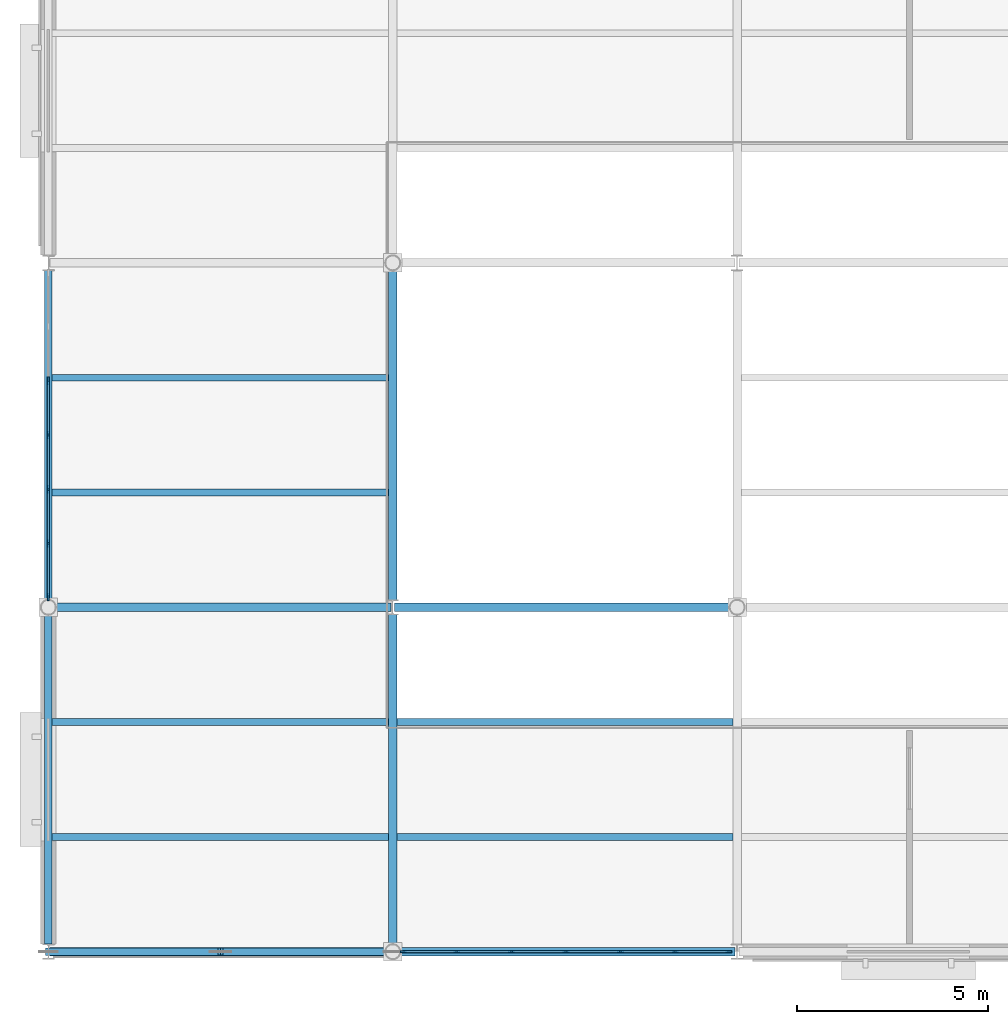
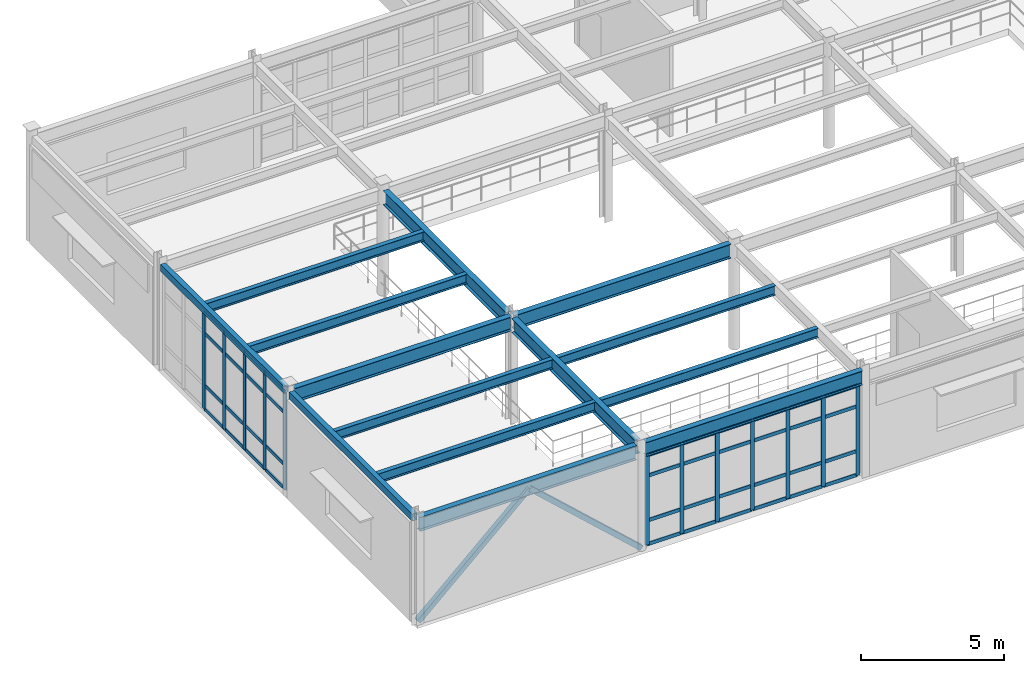
# One storey, part 23 of 86: 54 members, 14 beams, 2 elements without a shape of their own.
"""IFC4 building model written with IfcOpenShell, lengths in metres."""

from ifc_helpers import new_model, si_unit, direction, frame, origin, origin_2d, place, context, subcontext, project, spatial, rectangle, hollow_rectangle, i_section, extrude, material, material_profile, profile_set, type_object, element, aggregate, save


model = new_model("IFC4")

# Units and contexts
model_context = context("Model", 3, precision=1e-05, world=origin(), true_north=direction((0.0, 1.0)))
body_context = subcontext(model_context, "Body", "Model", "MODEL_VIEW")
ifc_project = project(units=[si_unit("LENGTHUNIT", "METRE"), si_unit("AREAUNIT", "SQUARE_METRE"), si_unit("VOLUMEUNIT", "CUBIC_METRE"), si_unit("PLANEANGLEUNIT", "RADIAN"), si_unit("MASSUNIT", "GRAM", prefix="KILO")], contexts=[model_context])

# Site, building, storey
site_placement = place(None, origin())
site = spatial("IfcSite", under=ifc_project, at=site_placement, CompositionType="ELEMENT")
building_placement = place(site_placement, origin())
building = spatial("IfcBuilding", under=site, at=building_placement, Name="Glasvene Arena", CompositionType="ELEMENT")
storey_placement = place(building_placement, frame((0.0, 0.0, 5.39990234375)))
storey = spatial("IfcBuildingStorey", under=building, at=storey_placement, Name="L01", CompositionType="ELEMENT", Elevation=5.39990234375)

# Beams
ifc_material_1 = material(Name="Steel S355J2", Category="steel")
ifc_material_profile_1 = material_profile(ifc_material_1, i_section(OverallWidth=0.228271484375, OverallDepth=0.607666015625, WebThickness=0.010986328125, FlangeThickness=0.017333984375, FilletRadius=0.0126953125, at=origin_2d()), Name="UKB 610x229x113")
ifc_profile_set_1 = profile_set([ifc_material_profile_1], Name="Steel S355J2")
beam_type_1 = type_object("IfcBeamType", Name="BM-GIRD-610", PredefinedType="BEAM", material=ifc_profile_set_1)
for number, where, z_axis, x_axis, name in (
    (1, (0.050048828125, 0.0, 4.21630859375), (1.0, 0.0, 0.0), (0.0, 1.0, 0.0), "Primary X girder L01-0522"),
    (2, (9.1982421875, 0.0, 4.21630859375), (1.0, 0.0, 0.0), (0.0, 1.0, 0.0), "Primary X girder L01-0523"),
    (3, (0.1982421875, 9.0, 4.21630859375), (1.0, 0.0, 0.0), (0.0, 1.0, 0.0), "Primary X girder L01-0528"),
    (4, (9.050048828125, 9.0, 4.21630859375), (1.0, 0.0, 0.0), (0.0, 1.0, 0.0), "Primary X girder L01-0529"),
):
    element("IfcBeam", number, at=place(storey_placement, frame(where, z_axis=z_axis, x_axis=x_axis)), inside=storey, type_object=beam_type_1, Name=name, PredefinedType="BEAM", context=body_context, shape_type="SweptSolid", body=[
        extrude(i_section(OverallWidth=0.228271484375, OverallDepth=0.607666015625, WebThickness=0.010986328125, FlangeThickness=0.017333984375, FilletRadius=0.0126953125, at=origin_2d()), origin(), (0.0, 0.0, 1.0), 8.751708984375),
    ])
for number, where, z_axis, x_axis, name in (
    (5, (9.0, 0.1982421875, 4.21630859375), (0.0, 1.0, 0.0), (-1.0, 0.0, 0.0), "Primary Y girder L01-0609"),
    (6, (9.0, 9.195068359375, 4.21630859375), (0.0, 1.0, 0.0), (-1.0, 0.0, 0.0), "Primary Y girder L01-0610"),
):
    element("IfcBeam", number, at=place(storey_placement, frame(where, z_axis=z_axis, x_axis=x_axis)), inside=storey, type_object=beam_type_1, Name=name, PredefinedType="BEAM", context=body_context, shape_type="SweptSolid", body=[
        extrude(i_section(OverallWidth=0.228271484375, OverallDepth=0.607666015625, WebThickness=0.010986328125, FlangeThickness=0.017333984375, FilletRadius=0.0126953125, at=origin_2d()), origin(), (0.0, 0.0, 1.0), 8.606689453125),
    ])
ifc_material_profile_2 = material_profile(ifc_material_1, i_section(OverallWidth=0.177978515625, OverallDepth=0.406494140625, WebThickness=0.0078125, FlangeThickness=0.0126953125, FilletRadius=0.01025390625, at=origin_2d()), Name="UKB 406x178x60")
ifc_profile_set_2 = profile_set([ifc_material_profile_2], Name="Steel S355J2")
beam_type_2 = type_object("IfcBeamType", Name="BM-JOIST-406", PredefinedType="JOIST", material=ifc_profile_set_2)
for number, where, z_axis, x_axis, name in (
    (7, (0.095947265625, 3.0, 4.31689453125), (1.0, 0.0, 0.0), (0.0, 1.0, 0.0), "Composite floor joist L01-0677"),
    (8, (0.095947265625, 6.0, 4.31689453125), (1.0, 0.0, 0.0), (0.0, 1.0, 0.0), "Composite floor joist L01-0678"),
    (9, (0.095947265625, 12.0, 4.31689453125), (1.0, 0.0, 0.0), (0.0, 1.0, 0.0), "Composite floor joist L01-0679"),
    (10, (0.095947265625, 15.0, 4.31689453125), (1.0, 0.0, 0.0), (0.0, 1.0, 0.0), "Composite floor joist L01-0680"),
):
    element("IfcBeam", number, at=place(storey_placement, frame(where, z_axis=z_axis, x_axis=x_axis)), inside=storey, type_object=beam_type_2, Name=name, PredefinedType="JOIST", context=body_context, shape_type="SweptSolid", body=[
        extrude(i_section(OverallWidth=0.177978515625, OverallDepth=0.406494140625, WebThickness=0.0078125, FlangeThickness=0.0126953125, FilletRadius=0.01025390625, at=origin_2d()), origin(), (0.0, 0.0, 1.0), 8.7939453125),
    ])
for number, where, z_axis, x_axis, name in (
    (11, (9.110107421875, 3.0, 4.31689453125), (1.0, 0.0, 0.0), (0.0, 1.0, 0.0), "Composite floor joist L01-0689"),
    (12, (9.110107421875, 6.0, 4.31689453125), (1.0, 0.0, 0.0), (0.0, 1.0, 0.0), "Composite floor joist L01-0690"),
):
    element("IfcBeam", number, at=place(storey_placement, frame(where, z_axis=z_axis, x_axis=x_axis)), inside=storey, type_object=beam_type_2, Name=name, PredefinedType="JOIST", context=body_context, shape_type="SweptSolid", body=[
        extrude(i_section(OverallWidth=0.177978515625, OverallDepth=0.406494140625, WebThickness=0.0078125, FlangeThickness=0.0126953125, FilletRadius=0.01025390625, at=origin_2d()), origin(), (0.0, 0.0, 1.0), 8.77978515625),
    ])
ifc_material_profile_3 = material_profile(ifc_material_1, hollow_rectangle(XDim=0.199951171875, YDim=0.300048828125, WallThickness=0.012451171875, at=origin_2d()), Name="RHS 300x200x12.5")
ifc_profile_set_3 = profile_set([ifc_material_profile_3], Name="Steel S355J2")
beam_type_3 = type_object("IfcBeamType", Name="BM-SPAND-300", PredefinedType="SPANDREL", material=ifc_profile_set_3)
for number, where, z_axis, x_axis, name in (
    (13, (0.0, 0.195068359375, 4.3701171875), (0.0, 1.0, 0.0), (-1.0, 0.0, 0.0), "Primary Y girder L01-0599"),
    (14, (0.0, 9.1982421875, 4.3701171875), (0.0, 1.0, 0.0), (-1.0, 0.0, 0.0), "Primary Y girder L01-0600"),
):
    element("IfcBeam", number, at=place(storey_placement, frame(where, z_axis=z_axis, x_axis=x_axis)), inside=storey, type_object=beam_type_3, Name=name, PredefinedType="SPANDREL", context=body_context, shape_type="SweptSolid", body=[
        extrude(hollow_rectangle(XDim=0.199951171875, YDim=0.300048828125, WallThickness=0.012451171875, at=origin_2d()), origin(), (0.0, 0.0, 1.0), 8.606689453125),
    ])

# Curtain wall, members
ifc_material_2 = material(Name="Low-emissivity laminated double glazing", Category="glass")
curtain_wall_type_1 = type_object("IfcCurtainWallType", Name="CW-FAC-L01-856x385", PredefinedType="USERDEFINED", material=ifc_material_2)
curtain_wall_1_placement = place(storey_placement, frame((17.80810546875, 0.0, 0.0)))
curtain_wall_1 = element("IfcCurtainWall", 15, at=curtain_wall_1_placement, inside=storey, type_object=curtain_wall_type_1, Name="Unitised curtain wall CW-F-L01-150-135-0-61", ObjectType="CURTAIN WALL", PredefinedType="USERDEFINED")
ifc_material_3 = material(Name="Anodised architectural aluminium", Category="aluminium")
ifc_material_profile_4 = material_profile(ifc_material_3, rectangle(XDim=0.050048828125, YDim=0.159912109375, at=origin_2d()), Name="ALU MULLION 50x160")
ifc_profile_set_4 = profile_set([ifc_material_profile_4], Name="Anodised architectural aluminium")
member_type_1 = type_object("IfcMemberType", Name="CW-MUL-150", PredefinedType="MULLION", material=ifc_profile_set_4)
member_1_placement = place(storey_placement, frame((17.782958984375, 0.0, 0.06005859375), z_axis=(0.0, 0.0, 1.0), x_axis=(0.0, -1.0, 0.0)))
member_1 = element("IfcMember", 16, at=member_1_placement, type_object=member_type_1, Name="CW-017 mullion 1", PredefinedType="MULLION", context=body_context, shape_type="SweptSolid", body=[
    extrude(rectangle(XDim=0.050048828125, YDim=0.159912109375, at=origin_2d()), origin(), (0.0, 0.0, 1.0), 3.846923828125),
])
member_2_placement = place(storey_placement, frame((16.380859375, 0.0, 0.06005859375), z_axis=(0.0, 0.0, 1.0), x_axis=(0.0, -1.0, 0.0)))
member_2 = element("IfcMember", 17, at=member_2_placement, type_object=member_type_1, Name="CW-017 mullion 2", PredefinedType="MULLION", context=body_context, shape_type="SweptSolid", body=[
    extrude(rectangle(XDim=0.050048828125, YDim=0.159912109375, at=origin_2d()), origin(), (0.0, 0.0, 1.0), 3.846923828125),
])
member_3_placement = place(storey_placement, frame((14.95361328125, 0.0, 0.06005859375), z_axis=(0.0, 0.0, 1.0), x_axis=(0.0, -1.0, 0.0)))
member_3 = element("IfcMember", 18, at=member_3_placement, type_object=member_type_1, Name="CW-017 mullion 3", PredefinedType="MULLION", context=body_context, shape_type="SweptSolid", body=[
    extrude(rectangle(XDim=0.050048828125, YDim=0.159912109375, at=origin_2d()), origin(), (0.0, 0.0, 1.0), 3.846923828125),
])
member_4_placement = place(storey_placement, frame((13.526611328125, 0.0, 0.06005859375), z_axis=(0.0, 0.0, 1.0), x_axis=(0.0, -1.0, 0.0)))
member_4 = element("IfcMember", 19, at=member_4_placement, type_object=member_type_1, Name="CW-017 mullion 4", PredefinedType="MULLION", context=body_context, shape_type="SweptSolid", body=[
    extrude(rectangle(XDim=0.050048828125, YDim=0.159912109375, at=origin_2d()), origin(), (0.0, 0.0, 1.0), 3.846923828125),
])
member_5_placement = place(storey_placement, frame((12.099365234375, 0.0, 0.06005859375), z_axis=(0.0, 0.0, 1.0), x_axis=(0.0, -1.0, 0.0)))
member_5 = element("IfcMember", 20, at=member_5_placement, type_object=member_type_1, Name="CW-017 mullion 5", PredefinedType="MULLION", context=body_context, shape_type="SweptSolid", body=[
    extrude(rectangle(XDim=0.050048828125, YDim=0.159912109375, at=origin_2d()), origin(), (0.0, 0.0, 1.0), 3.846923828125),
])
member_6_placement = place(storey_placement, frame((10.67236328125, 0.0, 0.06005859375), z_axis=(0.0, 0.0, 1.0), x_axis=(0.0, -1.0, 0.0)))
member_6 = element("IfcMember", 21, at=member_6_placement, type_object=member_type_1, Name="CW-017 mullion 6", PredefinedType="MULLION", context=body_context, shape_type="SweptSolid", body=[
    extrude(rectangle(XDim=0.050048828125, YDim=0.159912109375, at=origin_2d()), origin(), (0.0, 0.0, 1.0), 3.846923828125),
])
member_7_placement = place(storey_placement, frame((9.270263671875, 0.0, 0.06005859375), z_axis=(0.0, 0.0, 1.0), x_axis=(0.0, -1.0, 0.0)))
member_7 = element("IfcMember", 22, at=member_7_placement, type_object=member_type_1, Name="CW-017 mullion 7", PredefinedType="MULLION", context=body_context, shape_type="SweptSolid", body=[
    extrude(rectangle(XDim=0.050048828125, YDim=0.159912109375, at=origin_2d()), origin(), (0.0, 0.0, 1.0), 3.846923828125),
])

curtain_wall_type_2 = type_object("IfcCurtainWallType", Name="CW-FAC-L01-851x416", PredefinedType="USERDEFINED", material=ifc_material_2)
curtain_wall_2_placement = place(storey_placement, frame((0.0, 9.2451171875, 0.0)))
curtain_wall_2 = element("IfcCurtainWall", 23, at=curtain_wall_2_placement, inside=storey, type_object=curtain_wall_type_2, Name="Unitised curtain wall CW-F-L01-180-0-135-64", ObjectType="CURTAIN WALL", PredefinedType="USERDEFINED")
ifc_material_profile_5 = material_profile(ifc_material_3, rectangle(XDim=0.050048828125, YDim=0.199951171875, at=origin_2d()), Name="ALU MULLION 50x200")
ifc_profile_set_5 = profile_set([ifc_material_profile_5], Name="Anodised architectural aluminium")
member_type_2 = type_object("IfcMemberType", Name="CW-MUL-180", PredefinedType="MULLION", material=ifc_profile_set_5)
member_8_placement = place(storey_placement, frame((0.0, 9.270263671875, 0.06005859375), z_axis=(0.0, 0.0, 1.0), x_axis=(-1.0, 0.0, 0.0)))
member_8 = element("IfcMember", 24, at=member_8_placement, type_object=member_type_2, Name="CW-016 mullion 1", PredefinedType="MULLION", context=body_context, shape_type="SweptSolid", body=[
    extrude(rectangle(XDim=0.050048828125, YDim=0.199951171875, at=origin_2d()), origin(), (0.0, 0.0, 1.0), 4.155029296875),
])
member_9_placement = place(storey_placement, frame((0.0, 10.6640625, 0.06005859375), z_axis=(0.0, 0.0, 1.0), x_axis=(-1.0, 0.0, 0.0)))
member_9 = element("IfcMember", 25, at=member_9_placement, type_object=member_type_2, Name="CW-016 mullion 2", PredefinedType="MULLION", context=body_context, shape_type="SweptSolid", body=[
    extrude(rectangle(XDim=0.050048828125, YDim=0.199951171875, at=origin_2d()), origin(), (0.0, 0.0, 1.0), 4.155029296875),
])
member_10_placement = place(storey_placement, frame((0.0, 12.082763671875, 0.06005859375), z_axis=(0.0, 0.0, 1.0), x_axis=(-1.0, 0.0, 0.0)))
member_10 = element("IfcMember", 26, at=member_10_placement, type_object=member_type_2, Name="CW-016 mullion 3", PredefinedType="MULLION", context=body_context, shape_type="SweptSolid", body=[
    extrude(rectangle(XDim=0.050048828125, YDim=0.199951171875, at=origin_2d()), origin(), (0.0, 0.0, 1.0), 4.155029296875),
])
member_11_placement = place(storey_placement, frame((0.0, 13.501708984375, 0.06005859375), z_axis=(0.0, 0.0, 1.0), x_axis=(-1.0, 0.0, 0.0)))
member_11 = element("IfcMember", 27, at=member_11_placement, type_object=member_type_2, Name="CW-016 mullion 4", PredefinedType="MULLION", context=body_context, shape_type="SweptSolid", body=[
    extrude(rectangle(XDim=0.050048828125, YDim=0.199951171875, at=origin_2d()), origin(), (0.0, 0.0, 1.0), 4.155029296875),
])
member_12_placement = place(storey_placement, frame((0.0, 14.92041015625, 0.06005859375), z_axis=(0.0, 0.0, 1.0), x_axis=(-1.0, 0.0, 0.0)))
member_12 = element("IfcMember", 28, at=member_12_placement, type_object=member_type_2, Name="CW-016 mullion 5", PredefinedType="MULLION", context=body_context, shape_type="SweptSolid", body=[
    extrude(rectangle(XDim=0.050048828125, YDim=0.199951171875, at=origin_2d()), origin(), (0.0, 0.0, 1.0), 4.155029296875),
])

# Member
ifc_material_profile_6 = material_profile(ifc_material_3, rectangle(XDim=0.050048828125, YDim=0.14990234375, at=origin_2d()), Name="ALU TRANSOM 50x150")
ifc_profile_set_6 = profile_set([ifc_material_profile_6], Name="Anodised architectural aluminium")
member_type_3 = type_object("IfcMemberType", Name="CW-TRN-150", PredefinedType="USERDEFINED", material=ifc_profile_set_6)
member_13_placement = place(storey_placement, frame((17.758056640625, 0.0, 0.085205078125), z_axis=(-1.0, 0.0, 0.0), x_axis=(0.0, -1.0, 0.0)))
member_13 = element("IfcMember", 29, at=member_13_placement, type_object=member_type_3, Name="CW-017 transom 1.1", ObjectType="TRANSOM", PredefinedType="USERDEFINED", context=body_context, shape_type="SweptSolid", body=[
    extrude(rectangle(XDim=0.050048828125, YDim=0.14990234375, at=origin_2d()), origin(), (0.0, 0.0, 1.0), 1.352294921875),
])

member_14_placement = place(storey_placement, frame((17.758056640625, 0.0, 1.10009765625), z_axis=(-1.0, 0.0, 0.0), x_axis=(0.0, -1.0, 0.0)))
member_14 = element("IfcMember", 30, at=member_14_placement, type_object=member_type_3, Name="CW-017 transom 1.2", ObjectType="TRANSOM", PredefinedType="USERDEFINED", context=body_context, shape_type="SweptSolid", body=[
    extrude(rectangle(XDim=0.050048828125, YDim=0.14990234375, at=origin_2d()), origin(), (0.0, 0.0, 1.0), 1.352294921875),
])

member_15_placement = place(storey_placement, frame((17.758056640625, 0.0, 3.007080078125), z_axis=(-1.0, 0.0, 0.0), x_axis=(0.0, -1.0, 0.0)))
member_15 = element("IfcMember", 31, at=member_15_placement, type_object=member_type_3, Name="CW-017 transom 1.3", ObjectType="TRANSOM", PredefinedType="USERDEFINED", context=body_context, shape_type="SweptSolid", body=[
    extrude(rectangle(XDim=0.050048828125, YDim=0.14990234375, at=origin_2d()), origin(), (0.0, 0.0, 1.0), 1.352294921875),
])

member_16_placement = place(storey_placement, frame((17.758056640625, 0.0, 3.882080078125), z_axis=(-1.0, 0.0, 0.0), x_axis=(0.0, -1.0, 0.0)))
member_16 = element("IfcMember", 32, at=member_16_placement, type_object=member_type_3, Name="CW-017 transom 1.4", ObjectType="TRANSOM", PredefinedType="USERDEFINED", context=body_context, shape_type="SweptSolid", body=[
    extrude(rectangle(XDim=0.050048828125, YDim=0.14990234375, at=origin_2d()), origin(), (0.0, 0.0, 1.0), 1.352294921875),
])

member_17_placement = place(storey_placement, frame((16.35595703125, 0.0, 0.085205078125), z_axis=(-1.0, 0.0, 0.0), x_axis=(0.0, -1.0, 0.0)))
member_17 = element("IfcMember", 33, at=member_17_placement, type_object=member_type_3, Name="CW-017 transom 2.1", ObjectType="TRANSOM", PredefinedType="USERDEFINED", context=body_context, shape_type="SweptSolid", body=[
    extrude(rectangle(XDim=0.050048828125, YDim=0.14990234375, at=origin_2d()), origin(), (0.0, 0.0, 1.0), 1.377197265625),
])

member_18_placement = place(storey_placement, frame((16.35595703125, 0.0, 1.10009765625), z_axis=(-1.0, 0.0, 0.0), x_axis=(0.0, -1.0, 0.0)))
member_18 = element("IfcMember", 34, at=member_18_placement, type_object=member_type_3, Name="CW-017 transom 2.2", ObjectType="TRANSOM", PredefinedType="USERDEFINED", context=body_context, shape_type="SweptSolid", body=[
    extrude(rectangle(XDim=0.050048828125, YDim=0.14990234375, at=origin_2d()), origin(), (0.0, 0.0, 1.0), 1.377197265625),
])

member_19_placement = place(storey_placement, frame((16.35595703125, 0.0, 3.007080078125), z_axis=(-1.0, 0.0, 0.0), x_axis=(0.0, -1.0, 0.0)))
member_19 = element("IfcMember", 35, at=member_19_placement, type_object=member_type_3, Name="CW-017 transom 2.3", ObjectType="TRANSOM", PredefinedType="USERDEFINED", context=body_context, shape_type="SweptSolid", body=[
    extrude(rectangle(XDim=0.050048828125, YDim=0.14990234375, at=origin_2d()), origin(), (0.0, 0.0, 1.0), 1.377197265625),
])

member_20_placement = place(storey_placement, frame((16.35595703125, 0.0, 3.882080078125), z_axis=(-1.0, 0.0, 0.0), x_axis=(0.0, -1.0, 0.0)))
member_20 = element("IfcMember", 36, at=member_20_placement, type_object=member_type_3, Name="CW-017 transom 2.4", ObjectType="TRANSOM", PredefinedType="USERDEFINED", context=body_context, shape_type="SweptSolid", body=[
    extrude(rectangle(XDim=0.050048828125, YDim=0.14990234375, at=origin_2d()), origin(), (0.0, 0.0, 1.0), 1.377197265625),
])

member_21_placement = place(storey_placement, frame((14.9287109375, 0.0, 0.085205078125), z_axis=(-1.0, 0.0, 0.0), x_axis=(0.0, -1.0, 0.0)))
member_21 = element("IfcMember", 37, at=member_21_placement, type_object=member_type_3, Name="CW-017 transom 3.1", ObjectType="TRANSOM", PredefinedType="USERDEFINED", context=body_context, shape_type="SweptSolid", body=[
    extrude(rectangle(XDim=0.050048828125, YDim=0.14990234375, at=origin_2d()), origin(), (0.0, 0.0, 1.0), 1.377197265625),
])

member_22_placement = place(storey_placement, frame((14.9287109375, 0.0, 1.10009765625), z_axis=(-1.0, 0.0, 0.0), x_axis=(0.0, -1.0, 0.0)))
member_22 = element("IfcMember", 38, at=member_22_placement, type_object=member_type_3, Name="CW-017 transom 3.2", ObjectType="TRANSOM", PredefinedType="USERDEFINED", context=body_context, shape_type="SweptSolid", body=[
    extrude(rectangle(XDim=0.050048828125, YDim=0.14990234375, at=origin_2d()), origin(), (0.0, 0.0, 1.0), 1.377197265625),
])

member_23_placement = place(storey_placement, frame((14.9287109375, 0.0, 3.007080078125), z_axis=(-1.0, 0.0, 0.0), x_axis=(0.0, -1.0, 0.0)))
member_23 = element("IfcMember", 39, at=member_23_placement, type_object=member_type_3, Name="CW-017 transom 3.3", ObjectType="TRANSOM", PredefinedType="USERDEFINED", context=body_context, shape_type="SweptSolid", body=[
    extrude(rectangle(XDim=0.050048828125, YDim=0.14990234375, at=origin_2d()), origin(), (0.0, 0.0, 1.0), 1.377197265625),
])

member_24_placement = place(storey_placement, frame((14.9287109375, 0.0, 3.882080078125), z_axis=(-1.0, 0.0, 0.0), x_axis=(0.0, -1.0, 0.0)))
member_24 = element("IfcMember", 40, at=member_24_placement, type_object=member_type_3, Name="CW-017 transom 3.4", ObjectType="TRANSOM", PredefinedType="USERDEFINED", context=body_context, shape_type="SweptSolid", body=[
    extrude(rectangle(XDim=0.050048828125, YDim=0.14990234375, at=origin_2d()), origin(), (0.0, 0.0, 1.0), 1.377197265625),
])

member_25_placement = place(storey_placement, frame((13.501708984375, 0.0, 0.085205078125), z_axis=(-1.0, 0.0, 0.0), x_axis=(0.0, -1.0, 0.0)))
member_25 = element("IfcMember", 41, at=member_25_placement, type_object=member_type_3, Name="CW-017 transom 4.1", ObjectType="TRANSOM", PredefinedType="USERDEFINED", context=body_context, shape_type="SweptSolid", body=[
    extrude(rectangle(XDim=0.050048828125, YDim=0.14990234375, at=origin_2d()), origin(), (0.0, 0.0, 1.0), 1.377197265625),
])

member_26_placement = place(storey_placement, frame((13.501708984375, 0.0, 1.10009765625), z_axis=(-1.0, 0.0, 0.0), x_axis=(0.0, -1.0, 0.0)))
member_26 = element("IfcMember", 42, at=member_26_placement, type_object=member_type_3, Name="CW-017 transom 4.2", ObjectType="TRANSOM", PredefinedType="USERDEFINED", context=body_context, shape_type="SweptSolid", body=[
    extrude(rectangle(XDim=0.050048828125, YDim=0.14990234375, at=origin_2d()), origin(), (0.0, 0.0, 1.0), 1.377197265625),
])

member_27_placement = place(storey_placement, frame((13.501708984375, 0.0, 3.007080078125), z_axis=(-1.0, 0.0, 0.0), x_axis=(0.0, -1.0, 0.0)))
member_27 = element("IfcMember", 43, at=member_27_placement, type_object=member_type_3, Name="CW-017 transom 4.3", ObjectType="TRANSOM", PredefinedType="USERDEFINED", context=body_context, shape_type="SweptSolid", body=[
    extrude(rectangle(XDim=0.050048828125, YDim=0.14990234375, at=origin_2d()), origin(), (0.0, 0.0, 1.0), 1.377197265625),
])

member_28_placement = place(storey_placement, frame((13.501708984375, 0.0, 3.882080078125), z_axis=(-1.0, 0.0, 0.0), x_axis=(0.0, -1.0, 0.0)))
member_28 = element("IfcMember", 44, at=member_28_placement, type_object=member_type_3, Name="CW-017 transom 4.4", ObjectType="TRANSOM", PredefinedType="USERDEFINED", context=body_context, shape_type="SweptSolid", body=[
    extrude(rectangle(XDim=0.050048828125, YDim=0.14990234375, at=origin_2d()), origin(), (0.0, 0.0, 1.0), 1.377197265625),
])

member_29_placement = place(storey_placement, frame((12.074462890625, 0.0, 0.085205078125), z_axis=(-1.0, 0.0, 0.0), x_axis=(0.0, -1.0, 0.0)))
member_29 = element("IfcMember", 45, at=member_29_placement, type_object=member_type_3, Name="CW-017 transom 5.1", ObjectType="TRANSOM", PredefinedType="USERDEFINED", context=body_context, shape_type="SweptSolid", body=[
    extrude(rectangle(XDim=0.050048828125, YDim=0.14990234375, at=origin_2d()), origin(), (0.0, 0.0, 1.0), 1.377197265625),
])

member_30_placement = place(storey_placement, frame((12.074462890625, 0.0, 1.10009765625), z_axis=(-1.0, 0.0, 0.0), x_axis=(0.0, -1.0, 0.0)))
member_30 = element("IfcMember", 46, at=member_30_placement, type_object=member_type_3, Name="CW-017 transom 5.2", ObjectType="TRANSOM", PredefinedType="USERDEFINED", context=body_context, shape_type="SweptSolid", body=[
    extrude(rectangle(XDim=0.050048828125, YDim=0.14990234375, at=origin_2d()), origin(), (0.0, 0.0, 1.0), 1.377197265625),
])

member_31_placement = place(storey_placement, frame((12.074462890625, 0.0, 3.007080078125), z_axis=(-1.0, 0.0, 0.0), x_axis=(0.0, -1.0, 0.0)))
member_31 = element("IfcMember", 47, at=member_31_placement, type_object=member_type_3, Name="CW-017 transom 5.3", ObjectType="TRANSOM", PredefinedType="USERDEFINED", context=body_context, shape_type="SweptSolid", body=[
    extrude(rectangle(XDim=0.050048828125, YDim=0.14990234375, at=origin_2d()), origin(), (0.0, 0.0, 1.0), 1.377197265625),
])

member_32_placement = place(storey_placement, frame((12.074462890625, 0.0, 3.882080078125), z_axis=(-1.0, 0.0, 0.0), x_axis=(0.0, -1.0, 0.0)))
member_32 = element("IfcMember", 48, at=member_32_placement, type_object=member_type_3, Name="CW-017 transom 5.4", ObjectType="TRANSOM", PredefinedType="USERDEFINED", context=body_context, shape_type="SweptSolid", body=[
    extrude(rectangle(XDim=0.050048828125, YDim=0.14990234375, at=origin_2d()), origin(), (0.0, 0.0, 1.0), 1.377197265625),
])

member_33_placement = place(storey_placement, frame((10.647216796875, 0.0, 0.085205078125), z_axis=(-1.0, 0.0, 0.0), x_axis=(0.0, -1.0, 0.0)))
member_33 = element("IfcMember", 49, at=member_33_placement, type_object=member_type_3, Name="CW-017 transom 6.1", ObjectType="TRANSOM", PredefinedType="USERDEFINED", context=body_context, shape_type="SweptSolid", body=[
    extrude(rectangle(XDim=0.050048828125, YDim=0.14990234375, at=origin_2d()), origin(), (0.0, 0.0, 1.0), 1.35205078125),
])

member_34_placement = place(storey_placement, frame((10.647216796875, 0.0, 1.10009765625), z_axis=(-1.0, 0.0, 0.0), x_axis=(0.0, -1.0, 0.0)))
member_34 = element("IfcMember", 50, at=member_34_placement, type_object=member_type_3, Name="CW-017 transom 6.2", ObjectType="TRANSOM", PredefinedType="USERDEFINED", context=body_context, shape_type="SweptSolid", body=[
    extrude(rectangle(XDim=0.050048828125, YDim=0.14990234375, at=origin_2d()), origin(), (0.0, 0.0, 1.0), 1.35205078125),
])

member_35_placement = place(storey_placement, frame((10.647216796875, 0.0, 3.007080078125), z_axis=(-1.0, 0.0, 0.0), x_axis=(0.0, -1.0, 0.0)))
member_35 = element("IfcMember", 51, at=member_35_placement, type_object=member_type_3, Name="CW-017 transom 6.3", ObjectType="TRANSOM", PredefinedType="USERDEFINED", context=body_context, shape_type="SweptSolid", body=[
    extrude(rectangle(XDim=0.050048828125, YDim=0.14990234375, at=origin_2d()), origin(), (0.0, 0.0, 1.0), 1.35205078125),
])

member_36_placement = place(storey_placement, frame((10.647216796875, 0.0, 3.882080078125), z_axis=(-1.0, 0.0, 0.0), x_axis=(0.0, -1.0, 0.0)))
member_36 = element("IfcMember", 52, at=member_36_placement, type_object=member_type_3, Name="CW-017 transom 6.4", ObjectType="TRANSOM", PredefinedType="USERDEFINED", context=body_context, shape_type="SweptSolid", body=[
    extrude(rectangle(XDim=0.050048828125, YDim=0.14990234375, at=origin_2d()), origin(), (0.0, 0.0, 1.0), 1.35205078125),
])

aggregate(curtain_wall_1, [member_1, member_2, member_3, member_4, member_5, member_6, member_7, member_13, member_14, member_15, member_16, member_17, member_18, member_19, member_20, member_21, member_22, member_23, member_24, member_25, member_26, member_27, member_28, member_29, member_30, member_31, member_32, member_33, member_34, member_35, member_36])

member_37_placement = place(storey_placement, frame((0.0, 9.295166015625, 0.085205078125), z_axis=(0.0, 1.0, 0.0), x_axis=(-1.0, 0.0, 0.0)))
member_37 = element("IfcMember", 53, at=member_37_placement, type_object=member_type_3, Name="CW-016 transom 1.1", ObjectType="TRANSOM", PredefinedType="USERDEFINED", context=body_context, shape_type="SweptSolid", body=[
    extrude(rectangle(XDim=0.050048828125, YDim=0.14990234375, at=origin_2d()), origin(), (0.0, 0.0, 1.0), 1.34375),
])

member_38_placement = place(storey_placement, frame((0.0, 9.295166015625, 1.10009765625), z_axis=(0.0, 1.0, 0.0), x_axis=(-1.0, 0.0, 0.0)))
member_38 = element("IfcMember", 54, at=member_38_placement, type_object=member_type_3, Name="CW-016 transom 1.2", ObjectType="TRANSOM", PredefinedType="USERDEFINED", context=body_context, shape_type="SweptSolid", body=[
    extrude(rectangle(XDim=0.050048828125, YDim=0.14990234375, at=origin_2d()), origin(), (0.0, 0.0, 1.0), 1.34375),
])

member_39_placement = place(storey_placement, frame((0.0, 9.295166015625, 3.315185546875), z_axis=(0.0, 1.0, 0.0), x_axis=(-1.0, 0.0, 0.0)))
member_39 = element("IfcMember", 55, at=member_39_placement, type_object=member_type_3, Name="CW-016 transom 1.3", ObjectType="TRANSOM", PredefinedType="USERDEFINED", context=body_context, shape_type="SweptSolid", body=[
    extrude(rectangle(XDim=0.050048828125, YDim=0.14990234375, at=origin_2d()), origin(), (0.0, 0.0, 1.0), 1.34375),
])

member_40_placement = place(storey_placement, frame((0.0, 9.295166015625, 4.190185546875), z_axis=(0.0, 1.0, 0.0), x_axis=(-1.0, 0.0, 0.0)))
member_40 = element("IfcMember", 56, at=member_40_placement, type_object=member_type_3, Name="CW-016 transom 1.4", ObjectType="TRANSOM", PredefinedType="USERDEFINED", context=body_context, shape_type="SweptSolid", body=[
    extrude(rectangle(XDim=0.050048828125, YDim=0.14990234375, at=origin_2d()), origin(), (0.0, 0.0, 1.0), 1.34375),
])

member_41_placement = place(storey_placement, frame((0.0, 10.68896484375, 0.085205078125), z_axis=(0.0, 1.0, 0.0), x_axis=(-1.0, 0.0, 0.0)))
member_41 = element("IfcMember", 57, at=member_41_placement, type_object=member_type_3, Name="CW-016 transom 2.1", ObjectType="TRANSOM", PredefinedType="USERDEFINED", context=body_context, shape_type="SweptSolid", body=[
    extrude(rectangle(XDim=0.050048828125, YDim=0.14990234375, at=origin_2d()), origin(), (0.0, 0.0, 1.0), 1.368896484375),
])

member_42_placement = place(storey_placement, frame((0.0, 10.68896484375, 1.10009765625), z_axis=(0.0, 1.0, 0.0), x_axis=(-1.0, 0.0, 0.0)))
member_42 = element("IfcMember", 58, at=member_42_placement, type_object=member_type_3, Name="CW-016 transom 2.2", ObjectType="TRANSOM", PredefinedType="USERDEFINED", context=body_context, shape_type="SweptSolid", body=[
    extrude(rectangle(XDim=0.050048828125, YDim=0.14990234375, at=origin_2d()), origin(), (0.0, 0.0, 1.0), 1.368896484375),
])

member_43_placement = place(storey_placement, frame((0.0, 10.68896484375, 3.315185546875), z_axis=(0.0, 1.0, 0.0), x_axis=(-1.0, 0.0, 0.0)))
member_43 = element("IfcMember", 59, at=member_43_placement, type_object=member_type_3, Name="CW-016 transom 2.3", ObjectType="TRANSOM", PredefinedType="USERDEFINED", context=body_context, shape_type="SweptSolid", body=[
    extrude(rectangle(XDim=0.050048828125, YDim=0.14990234375, at=origin_2d()), origin(), (0.0, 0.0, 1.0), 1.368896484375),
])

member_44_placement = place(storey_placement, frame((0.0, 10.68896484375, 4.190185546875), z_axis=(0.0, 1.0, 0.0), x_axis=(-1.0, 0.0, 0.0)))
member_44 = element("IfcMember", 60, at=member_44_placement, type_object=member_type_3, Name="CW-016 transom 2.4", ObjectType="TRANSOM", PredefinedType="USERDEFINED", context=body_context, shape_type="SweptSolid", body=[
    extrude(rectangle(XDim=0.050048828125, YDim=0.14990234375, at=origin_2d()), origin(), (0.0, 0.0, 1.0), 1.368896484375),
])

member_45_placement = place(storey_placement, frame((0.0, 12.10791015625, 0.085205078125), z_axis=(0.0, 1.0, 0.0), x_axis=(-1.0, 0.0, 0.0)))
member_45 = element("IfcMember", 61, at=member_45_placement, type_object=member_type_3, Name="CW-016 transom 3.1", ObjectType="TRANSOM", PredefinedType="USERDEFINED", context=body_context, shape_type="SweptSolid", body=[
    extrude(rectangle(XDim=0.050048828125, YDim=0.14990234375, at=origin_2d()), origin(), (0.0, 0.0, 1.0), 1.36865234375),
])

member_46_placement = place(storey_placement, frame((0.0, 12.10791015625, 1.10009765625), z_axis=(0.0, 1.0, 0.0), x_axis=(-1.0, 0.0, 0.0)))
member_46 = element("IfcMember", 62, at=member_46_placement, type_object=member_type_3, Name="CW-016 transom 3.2", ObjectType="TRANSOM", PredefinedType="USERDEFINED", context=body_context, shape_type="SweptSolid", body=[
    extrude(rectangle(XDim=0.050048828125, YDim=0.14990234375, at=origin_2d()), origin(), (0.0, 0.0, 1.0), 1.36865234375),
])

member_47_placement = place(storey_placement, frame((0.0, 12.10791015625, 3.315185546875), z_axis=(0.0, 1.0, 0.0), x_axis=(-1.0, 0.0, 0.0)))
member_47 = element("IfcMember", 63, at=member_47_placement, type_object=member_type_3, Name="CW-016 transom 3.3", ObjectType="TRANSOM", PredefinedType="USERDEFINED", context=body_context, shape_type="SweptSolid", body=[
    extrude(rectangle(XDim=0.050048828125, YDim=0.14990234375, at=origin_2d()), origin(), (0.0, 0.0, 1.0), 1.36865234375),
])

member_48_placement = place(storey_placement, frame((0.0, 12.10791015625, 4.190185546875), z_axis=(0.0, 1.0, 0.0), x_axis=(-1.0, 0.0, 0.0)))
member_48 = element("IfcMember", 64, at=member_48_placement, type_object=member_type_3, Name="CW-016 transom 3.4", ObjectType="TRANSOM", PredefinedType="USERDEFINED", context=body_context, shape_type="SweptSolid", body=[
    extrude(rectangle(XDim=0.050048828125, YDim=0.14990234375, at=origin_2d()), origin(), (0.0, 0.0, 1.0), 1.36865234375),
])

member_49_placement = place(storey_placement, frame((0.0, 13.526611328125, 0.085205078125), z_axis=(0.0, 1.0, 0.0), x_axis=(-1.0, 0.0, 0.0)))
member_49 = element("IfcMember", 65, at=member_49_placement, type_object=member_type_3, Name="CW-016 transom 4.1", ObjectType="TRANSOM", PredefinedType="USERDEFINED", context=body_context, shape_type="SweptSolid", body=[
    extrude(rectangle(XDim=0.050048828125, YDim=0.14990234375, at=origin_2d()), origin(), (0.0, 0.0, 1.0), 1.368896484375),
])

member_50_placement = place(storey_placement, frame((0.0, 13.526611328125, 1.10009765625), z_axis=(0.0, 1.0, 0.0), x_axis=(-1.0, 0.0, 0.0)))
member_50 = element("IfcMember", 66, at=member_50_placement, type_object=member_type_3, Name="CW-016 transom 4.2", ObjectType="TRANSOM", PredefinedType="USERDEFINED", context=body_context, shape_type="SweptSolid", body=[
    extrude(rectangle(XDim=0.050048828125, YDim=0.14990234375, at=origin_2d()), origin(), (0.0, 0.0, 1.0), 1.368896484375),
])

member_51_placement = place(storey_placement, frame((0.0, 13.526611328125, 3.315185546875), z_axis=(0.0, 1.0, 0.0), x_axis=(-1.0, 0.0, 0.0)))
member_51 = element("IfcMember", 67, at=member_51_placement, type_object=member_type_3, Name="CW-016 transom 4.3", ObjectType="TRANSOM", PredefinedType="USERDEFINED", context=body_context, shape_type="SweptSolid", body=[
    extrude(rectangle(XDim=0.050048828125, YDim=0.14990234375, at=origin_2d()), origin(), (0.0, 0.0, 1.0), 1.368896484375),
])

member_52_placement = place(storey_placement, frame((0.0, 13.526611328125, 4.190185546875), z_axis=(0.0, 1.0, 0.0), x_axis=(-1.0, 0.0, 0.0)))
member_52 = element("IfcMember", 68, at=member_52_placement, type_object=member_type_3, Name="CW-016 transom 4.4", ObjectType="TRANSOM", PredefinedType="USERDEFINED", context=body_context, shape_type="SweptSolid", body=[
    extrude(rectangle(XDim=0.050048828125, YDim=0.14990234375, at=origin_2d()), origin(), (0.0, 0.0, 1.0), 1.368896484375),
])

aggregate(curtain_wall_2, [member_8, member_9, member_10, member_11, member_12, member_37, member_38, member_39, member_40, member_41, member_42, member_43, member_44, member_45, member_46, member_47, member_48, member_49, member_50, member_51, member_52])

# Members
ifc_material_profile_7 = material_profile(ifc_material_1, hollow_rectangle(XDim=0.199951171875, YDim=0.199951171875, WallThickness=0.010009765625, at=origin_2d()), Name="SHS 200x200x10.0")
ifc_profile_set_7 = profile_set([ifc_material_profile_7], Name="Steel S355J2")
member_type_4 = type_object("IfcMemberType", Name="MB-BRACE-SHS200", PredefinedType="BRACE", material=ifc_profile_set_7)
for number, where, z_axis, x_axis, name in (
    (69, (0.0, 0.0, 0.050048828125), (0.737552649854, 0.0, 0.675289633189), (0.0, 1.0, 0.0), "Perimeter lateral chevron brace L01-039-A"),
    (70, (9.0, 0.0, 0.050048828125), (-0.737552649854, 0.0, 0.675289633189), (0.0, -1.0, 0.0), "Perimeter lateral chevron brace L01-040-B"),
):
    element("IfcMember", number, at=place(storey_placement, frame(where, z_axis=z_axis, x_axis=x_axis)), inside=storey, type_object=member_type_4, Name=name, PredefinedType="BRACE", context=body_context, shape_type="SweptSolid", body=[
        extrude(hollow_rectangle(XDim=0.199951171875, YDim=0.199951171875, WallThickness=0.010009765625, at=origin_2d()), origin(), (0.0, 0.0, 1.0), 6.101318359375),
    ])

save(model, "model.ifc")
